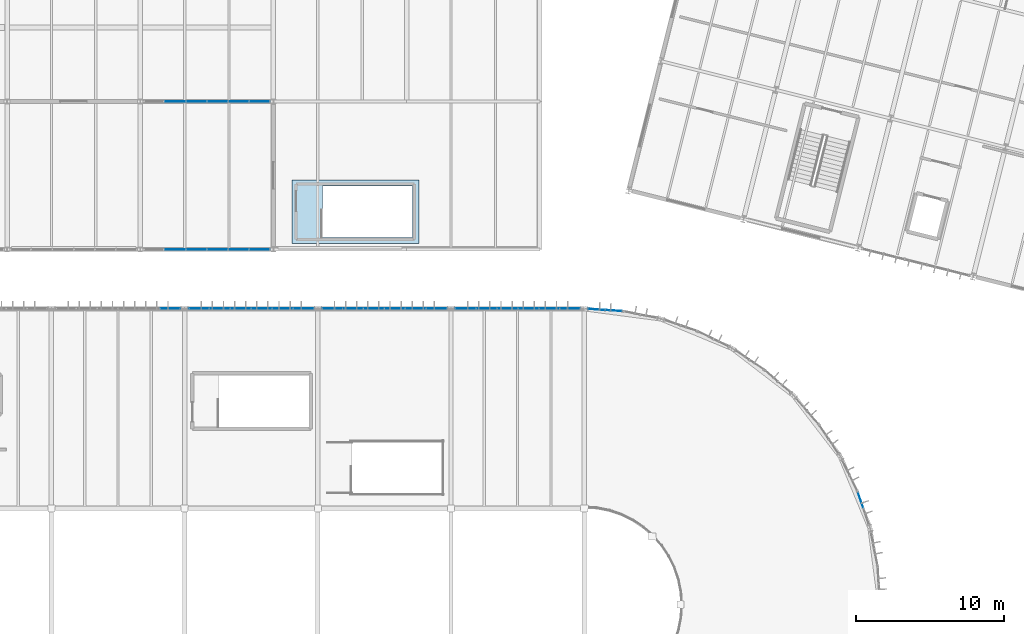
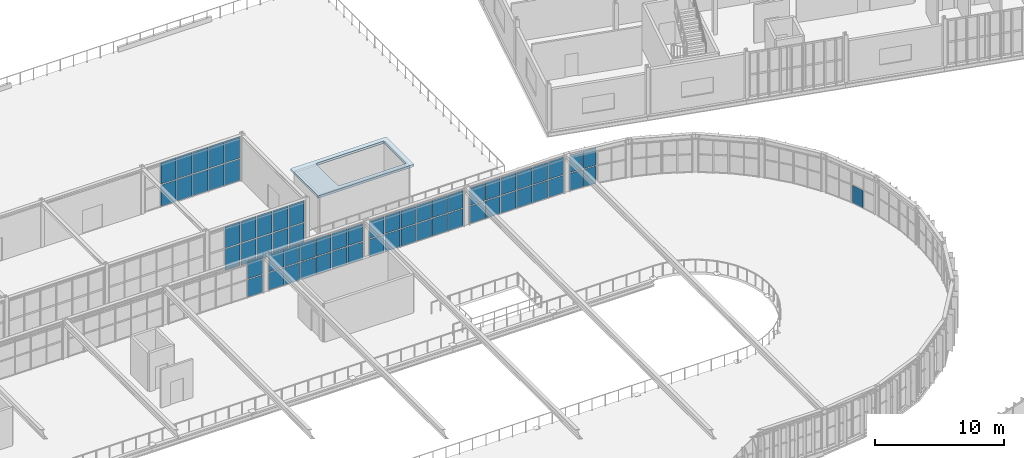
# One storey, part 112 of 152: 63 plates, 1 slab, 8 elements without a shape of their own.
"""IFC4 building model written with IfcOpenShell, lengths in metres."""

from ifc_helpers import new_model, si_unit, derived_unit, direction, frame, origin, origin_2d, place, context, subcontext, project, spatial, polyline, rectangle, outline, extrude, material, layer, layer_set, type_object, element, aggregate, save


model = new_model("IFC4")

# Units and contexts
model_context = context("Model", 3, precision=1e-05, world=origin(), true_north=direction((0.0, 1.0)))
body_context = subcontext(model_context, "Body", "Model", "MODEL_VIEW")
ifc_project = project(units=[si_unit("LENGTHUNIT", "METRE"), si_unit("AREAUNIT", "SQUARE_METRE"), si_unit("VOLUMEUNIT", "CUBIC_METRE"), si_unit("PLANEANGLEUNIT", "RADIAN"), si_unit("MASSUNIT", "GRAM", prefix="KILO"), si_unit("THERMODYNAMICTEMPERATUREUNIT", "KELVIN"), si_unit("TIMEUNIT", "SECOND"), derived_unit("THERMALTRANSMITTANCEUNIT", [(si_unit("MASSUNIT", "GRAM", prefix="KILO"), 1), (si_unit("THERMODYNAMICTEMPERATUREUNIT", "KELVIN"), -1), (si_unit("TIMEUNIT", "SECOND"), -3)])], contexts=[model_context])

# Site, building, storey
site_placement = place(None, origin())
site = spatial("IfcSite", under=ifc_project, at=site_placement, CompositionType="ELEMENT")
building_placement = place(site_placement, origin())
building = spatial("IfcBuilding", under=site, at=building_placement, Name="Cambertide Market Hall", CompositionType="ELEMENT")
storey_placement = place(building_placement, frame((0.0, 0.0, 5.39990234375)))
storey = spatial("IfcBuildingStorey", under=building, at=storey_placement, Name="L02", CompositionType="ELEMENT", Elevation=5.39990234375)

# Slab
ifc_material_1 = material(Name="Concrete B30", Category="concrete")
ifc_layer_1 = layer(ifc_material_1, 0.219970703125, Name="Stair Headhouse Roof Slab 220")
ifc_layer_set_1 = layer_set([ifc_layer_1], Name="Concrete B30")
slab_type = type_object("IfcSlabType", Name="Stair Headhouse Roof Slab 220", PredefinedType="ROOF", material=ifc_layer_set_1)
slab_placement = place(storey_placement, frame((0.0, 0.0, 3.64013671875)))
element("IfcSlab", 1, at=slab_placement, inside=storey, type_object=slab_type, Name="Level 2 Slab RSLB-HH-ST04", PredefinedType="ROOF", context=body_context, shape_type="SweptSolid", body=[
    extrude(outline(polyline([(85.25, 96.39990234375), (93.85009765625, 96.39990234375), (93.85009765625, 100.699951171875), (85.25, 100.699951171875), (85.25, 96.39990234375)]), holes=[polyline([(87.303955078125, 100.300048828125), (93.39990234375, 100.300048828125), (93.39990234375, 96.800048828125), (87.303955078125, 96.800048828125), (87.303955078125, 100.300048828125)])]), origin(), (0.0, 0.0, 1.0), 0.219970703125),
])

# Curtain wall, plates
ifc_material_2 = material(Name="Marine Anodized Aluminium 6063-T6 AA25", Category="aluminium")
curtain_wall_type_1 = type_object("IfcCurtainWallType", Name="Lantern Straight Upper Curtain Wall", PredefinedType="USERDEFINED", material=ifc_material_2)
curtain_wall_1_placement = place(storey_placement, origin())
curtain_wall_1 = element("IfcCurtainWall", 2, at=curtain_wall_1_placement, inside=storey, type_object=curtain_wall_type_1, Name="Level 2 Curtain Wall CW-V1N-L02-4", ObjectType="UNITIZED CURTAIN WALL", PredefinedType="USERDEFINED")
ifc_material_3 = material(Name="Low-E Laminated Insulated Glass", Category="glass")
ifc_layer_2 = layer(ifc_material_3, 0.028076171875, Name="Vision Insulated Glazing Panel 28")
ifc_layer_set_2 = layer_set([ifc_layer_2], Name="Low-E Laminated Insulated Glass")
plate_type = type_object("IfcPlateType", Name="Vision Insulated Glazing Panel 28", PredefinedType="CURTAIN_PANEL", material=ifc_layer_set_2)
plate_1_placement = place(storey_placement, frame((77.041748046875, 92.0, 0.0400390625), z_axis=(0.0, 0.0, 1.0), x_axis=(1.0, 0.0, 0.0)))
plate_1 = element("IfcPlate", 3, at=plate_1_placement, type_object=plate_type, Name="CW-V1N-L02-4 Glazing Panel 1-6", PredefinedType="CURTAIN_PANEL", context=body_context, shape_type="SweptSolid", body=[
    extrude(rectangle(XDim=1.336669921875, YDim=0.028076171875, at=origin_2d()), origin(), (0.0, 0.0, 1.0), 1.64501953125),
])
plate_2_placement = place(storey_placement, frame((77.041748046875, 92.0, 1.76513671875), z_axis=(0.0, 0.0, 1.0), x_axis=(1.0, 0.0, 0.0)))
plate_2 = element("IfcPlate", 4, at=plate_2_placement, type_object=plate_type, Name="CW-V1N-L02-4 Glazing Panel 2-6", PredefinedType="CURTAIN_PANEL", context=body_context, shape_type="SweptSolid", body=[
    extrude(rectangle(XDim=1.336669921875, YDim=0.028076171875, at=origin_2d()), origin(), (0.0, 0.0, 1.0), 1.64501953125),
])
aggregate(curtain_wall_1, [plate_1, plate_2])

curtain_wall_2_placement = place(storey_placement, origin())
curtain_wall_2 = element("IfcCurtainWall", 5, at=curtain_wall_2_placement, inside=storey, type_object=curtain_wall_type_1, Name="Level 2 Curtain Wall CW-V1N-L02-5", ObjectType="UNITIZED CURTAIN WALL", PredefinedType="USERDEFINED")
plate_3_placement = place(storey_placement, frame((78.958251953125, 92.0, 0.0400390625), z_axis=(0.0, 0.0, 1.0), x_axis=(1.0, 0.0, 0.0)))
plate_3 = element("IfcPlate", 6, at=plate_3_placement, type_object=plate_type, Name="CW-V1N-L02-5 Glazing Panel 1-1", PredefinedType="CURTAIN_PANEL", context=body_context, shape_type="SweptSolid", body=[
    extrude(rectangle(XDim=1.336669921875, YDim=0.028076171875, at=origin_2d()), origin(), (0.0, 0.0, 1.0), 1.64501953125),
])
plate_4_placement = place(storey_placement, frame((80.375, 92.0, 0.0400390625), z_axis=(0.0, 0.0, 1.0), x_axis=(1.0, 0.0, 0.0)))
plate_4 = element("IfcPlate", 7, at=plate_4_placement, type_object=plate_type, Name="CW-V1N-L02-5 Glazing Panel 1-2", PredefinedType="CURTAIN_PANEL", context=body_context, shape_type="SweptSolid", body=[
    extrude(rectangle(XDim=1.336669921875, YDim=0.028076171875, at=origin_2d()), origin(), (0.0, 0.0, 1.0), 1.64501953125),
])
plate_5_placement = place(storey_placement, frame((81.791748046875, 92.0, 0.0400390625), z_axis=(0.0, 0.0, 1.0), x_axis=(1.0, 0.0, 0.0)))
plate_5 = element("IfcPlate", 8, at=plate_5_placement, type_object=plate_type, Name="CW-V1N-L02-5 Glazing Panel 1-3", PredefinedType="CURTAIN_PANEL", context=body_context, shape_type="SweptSolid", body=[
    extrude(rectangle(XDim=1.336669921875, YDim=0.028076171875, at=origin_2d()), origin(), (0.0, 0.0, 1.0), 1.64501953125),
])
plate_6_placement = place(storey_placement, frame((83.208251953125, 92.0, 0.0400390625), z_axis=(0.0, 0.0, 1.0), x_axis=(1.0, 0.0, 0.0)))
plate_6 = element("IfcPlate", 9, at=plate_6_placement, type_object=plate_type, Name="CW-V1N-L02-5 Glazing Panel 1-4", PredefinedType="CURTAIN_PANEL", context=body_context, shape_type="SweptSolid", body=[
    extrude(rectangle(XDim=1.336669921875, YDim=0.028076171875, at=origin_2d()), origin(), (0.0, 0.0, 1.0), 1.64501953125),
])
plate_7_placement = place(storey_placement, frame((84.625, 92.0, 0.0400390625), z_axis=(0.0, 0.0, 1.0), x_axis=(1.0, 0.0, 0.0)))
plate_7 = element("IfcPlate", 10, at=plate_7_placement, type_object=plate_type, Name="CW-V1N-L02-5 Glazing Panel 1-5", PredefinedType="CURTAIN_PANEL", context=body_context, shape_type="SweptSolid", body=[
    extrude(rectangle(XDim=1.336669921875, YDim=0.028076171875, at=origin_2d()), origin(), (0.0, 0.0, 1.0), 1.64501953125),
])
plate_8_placement = place(storey_placement, frame((86.041748046875, 92.0, 0.0400390625), z_axis=(0.0, 0.0, 1.0), x_axis=(1.0, 0.0, 0.0)))
plate_8 = element("IfcPlate", 11, at=plate_8_placement, type_object=plate_type, Name="CW-V1N-L02-5 Glazing Panel 1-6", PredefinedType="CURTAIN_PANEL", context=body_context, shape_type="SweptSolid", body=[
    extrude(rectangle(XDim=1.336669921875, YDim=0.028076171875, at=origin_2d()), origin(), (0.0, 0.0, 1.0), 1.64501953125),
])
plate_9_placement = place(storey_placement, frame((78.958251953125, 92.0, 1.76513671875), z_axis=(0.0, 0.0, 1.0), x_axis=(1.0, 0.0, 0.0)))
plate_9 = element("IfcPlate", 12, at=plate_9_placement, type_object=plate_type, Name="CW-V1N-L02-5 Glazing Panel 2-1", PredefinedType="CURTAIN_PANEL", context=body_context, shape_type="SweptSolid", body=[
    extrude(rectangle(XDim=1.336669921875, YDim=0.028076171875, at=origin_2d()), origin(), (0.0, 0.0, 1.0), 1.64501953125),
])
plate_10_placement = place(storey_placement, frame((80.375, 92.0, 1.76513671875), z_axis=(0.0, 0.0, 1.0), x_axis=(1.0, 0.0, 0.0)))
plate_10 = element("IfcPlate", 13, at=plate_10_placement, type_object=plate_type, Name="CW-V1N-L02-5 Glazing Panel 2-2", PredefinedType="CURTAIN_PANEL", context=body_context, shape_type="SweptSolid", body=[
    extrude(rectangle(XDim=1.336669921875, YDim=0.028076171875, at=origin_2d()), origin(), (0.0, 0.0, 1.0), 1.64501953125),
])
plate_11_placement = place(storey_placement, frame((81.791748046875, 92.0, 1.76513671875), z_axis=(0.0, 0.0, 1.0), x_axis=(1.0, 0.0, 0.0)))
plate_11 = element("IfcPlate", 14, at=plate_11_placement, type_object=plate_type, Name="CW-V1N-L02-5 Glazing Panel 2-3", PredefinedType="CURTAIN_PANEL", context=body_context, shape_type="SweptSolid", body=[
    extrude(rectangle(XDim=1.336669921875, YDim=0.028076171875, at=origin_2d()), origin(), (0.0, 0.0, 1.0), 1.64501953125),
])
plate_12_placement = place(storey_placement, frame((83.208251953125, 92.0, 1.76513671875), z_axis=(0.0, 0.0, 1.0), x_axis=(1.0, 0.0, 0.0)))
plate_12 = element("IfcPlate", 15, at=plate_12_placement, type_object=plate_type, Name="CW-V1N-L02-5 Glazing Panel 2-4", PredefinedType="CURTAIN_PANEL", context=body_context, shape_type="SweptSolid", body=[
    extrude(rectangle(XDim=1.336669921875, YDim=0.028076171875, at=origin_2d()), origin(), (0.0, 0.0, 1.0), 1.64501953125),
])
plate_13_placement = place(storey_placement, frame((84.625, 92.0, 1.76513671875), z_axis=(0.0, 0.0, 1.0), x_axis=(1.0, 0.0, 0.0)))
plate_13 = element("IfcPlate", 16, at=plate_13_placement, type_object=plate_type, Name="CW-V1N-L02-5 Glazing Panel 2-5", PredefinedType="CURTAIN_PANEL", context=body_context, shape_type="SweptSolid", body=[
    extrude(rectangle(XDim=1.336669921875, YDim=0.028076171875, at=origin_2d()), origin(), (0.0, 0.0, 1.0), 1.64501953125),
])
plate_14_placement = place(storey_placement, frame((86.041748046875, 92.0, 1.76513671875), z_axis=(0.0, 0.0, 1.0), x_axis=(1.0, 0.0, 0.0)))
plate_14 = element("IfcPlate", 17, at=plate_14_placement, type_object=plate_type, Name="CW-V1N-L02-5 Glazing Panel 2-6", PredefinedType="CURTAIN_PANEL", context=body_context, shape_type="SweptSolid", body=[
    extrude(rectangle(XDim=1.336669921875, YDim=0.028076171875, at=origin_2d()), origin(), (0.0, 0.0, 1.0), 1.64501953125),
])
aggregate(curtain_wall_2, [plate_3, plate_4, plate_5, plate_6, plate_7, plate_8, plate_9, plate_10, plate_11, plate_12, plate_13, plate_14])

curtain_wall_3_placement = place(storey_placement, origin())
curtain_wall_3 = element("IfcCurtainWall", 18, at=curtain_wall_3_placement, inside=storey, type_object=curtain_wall_type_1, Name="Level 2 Curtain Wall CW-V1N-L02-6", ObjectType="UNITIZED CURTAIN WALL", PredefinedType="USERDEFINED")
plate_15_placement = place(storey_placement, frame((87.958251953125, 92.0, 0.0400390625), z_axis=(0.0, 0.0, 1.0), x_axis=(1.0, 0.0, 0.0)))
plate_15 = element("IfcPlate", 19, at=plate_15_placement, type_object=plate_type, Name="CW-V1N-L02-6 Glazing Panel 1-1", PredefinedType="CURTAIN_PANEL", context=body_context, shape_type="SweptSolid", body=[
    extrude(rectangle(XDim=1.336669921875, YDim=0.028076171875, at=origin_2d()), origin(), (0.0, 0.0, 1.0), 1.64501953125),
])
plate_16_placement = place(storey_placement, frame((89.375, 92.0, 0.0400390625), z_axis=(0.0, 0.0, 1.0), x_axis=(1.0, 0.0, 0.0)))
plate_16 = element("IfcPlate", 20, at=plate_16_placement, type_object=plate_type, Name="CW-V1N-L02-6 Glazing Panel 1-2", PredefinedType="CURTAIN_PANEL", context=body_context, shape_type="SweptSolid", body=[
    extrude(rectangle(XDim=1.336669921875, YDim=0.028076171875, at=origin_2d()), origin(), (0.0, 0.0, 1.0), 1.64501953125),
])
plate_17_placement = place(storey_placement, frame((90.791748046875, 92.0, 0.0400390625), z_axis=(0.0, 0.0, 1.0), x_axis=(1.0, 0.0, 0.0)))
plate_17 = element("IfcPlate", 21, at=plate_17_placement, type_object=plate_type, Name="CW-V1N-L02-6 Glazing Panel 1-3", PredefinedType="CURTAIN_PANEL", context=body_context, shape_type="SweptSolid", body=[
    extrude(rectangle(XDim=1.336669921875, YDim=0.028076171875, at=origin_2d()), origin(), (0.0, 0.0, 1.0), 1.64501953125),
])
plate_18_placement = place(storey_placement, frame((92.208251953125, 92.0, 0.0400390625), z_axis=(0.0, 0.0, 1.0), x_axis=(1.0, 0.0, 0.0)))
plate_18 = element("IfcPlate", 22, at=plate_18_placement, type_object=plate_type, Name="CW-V1N-L02-6 Glazing Panel 1-4", PredefinedType="CURTAIN_PANEL", context=body_context, shape_type="SweptSolid", body=[
    extrude(rectangle(XDim=1.336669921875, YDim=0.028076171875, at=origin_2d()), origin(), (0.0, 0.0, 1.0), 1.64501953125),
])
plate_19_placement = place(storey_placement, frame((93.625, 92.0, 0.0400390625), z_axis=(0.0, 0.0, 1.0), x_axis=(1.0, 0.0, 0.0)))
plate_19 = element("IfcPlate", 23, at=plate_19_placement, type_object=plate_type, Name="CW-V1N-L02-6 Glazing Panel 1-5", PredefinedType="CURTAIN_PANEL", context=body_context, shape_type="SweptSolid", body=[
    extrude(rectangle(XDim=1.336669921875, YDim=0.028076171875, at=origin_2d()), origin(), (0.0, 0.0, 1.0), 1.64501953125),
])
plate_20_placement = place(storey_placement, frame((95.041748046875, 92.0, 0.0400390625), z_axis=(0.0, 0.0, 1.0), x_axis=(1.0, 0.0, 0.0)))
plate_20 = element("IfcPlate", 24, at=plate_20_placement, type_object=plate_type, Name="CW-V1N-L02-6 Glazing Panel 1-6", PredefinedType="CURTAIN_PANEL", context=body_context, shape_type="SweptSolid", body=[
    extrude(rectangle(XDim=1.336669921875, YDim=0.028076171875, at=origin_2d()), origin(), (0.0, 0.0, 1.0), 1.64501953125),
])
plate_21_placement = place(storey_placement, frame((87.958251953125, 92.0, 1.76513671875), z_axis=(0.0, 0.0, 1.0), x_axis=(1.0, 0.0, 0.0)))
plate_21 = element("IfcPlate", 25, at=plate_21_placement, type_object=plate_type, Name="CW-V1N-L02-6 Glazing Panel 2-1", PredefinedType="CURTAIN_PANEL", context=body_context, shape_type="SweptSolid", body=[
    extrude(rectangle(XDim=1.336669921875, YDim=0.028076171875, at=origin_2d()), origin(), (0.0, 0.0, 1.0), 1.64501953125),
])
plate_22_placement = place(storey_placement, frame((89.375, 92.0, 1.76513671875), z_axis=(0.0, 0.0, 1.0), x_axis=(1.0, 0.0, 0.0)))
plate_22 = element("IfcPlate", 26, at=plate_22_placement, type_object=plate_type, Name="CW-V1N-L02-6 Glazing Panel 2-2", PredefinedType="CURTAIN_PANEL", context=body_context, shape_type="SweptSolid", body=[
    extrude(rectangle(XDim=1.336669921875, YDim=0.028076171875, at=origin_2d()), origin(), (0.0, 0.0, 1.0), 1.64501953125),
])
plate_23_placement = place(storey_placement, frame((90.791748046875, 92.0, 1.76513671875), z_axis=(0.0, 0.0, 1.0), x_axis=(1.0, 0.0, 0.0)))
plate_23 = element("IfcPlate", 27, at=plate_23_placement, type_object=plate_type, Name="CW-V1N-L02-6 Glazing Panel 2-3", PredefinedType="CURTAIN_PANEL", context=body_context, shape_type="SweptSolid", body=[
    extrude(rectangle(XDim=1.336669921875, YDim=0.028076171875, at=origin_2d()), origin(), (0.0, 0.0, 1.0), 1.64501953125),
])
plate_24_placement = place(storey_placement, frame((92.208251953125, 92.0, 1.76513671875), z_axis=(0.0, 0.0, 1.0), x_axis=(1.0, 0.0, 0.0)))
plate_24 = element("IfcPlate", 28, at=plate_24_placement, type_object=plate_type, Name="CW-V1N-L02-6 Glazing Panel 2-4", PredefinedType="CURTAIN_PANEL", context=body_context, shape_type="SweptSolid", body=[
    extrude(rectangle(XDim=1.336669921875, YDim=0.028076171875, at=origin_2d()), origin(), (0.0, 0.0, 1.0), 1.64501953125),
])
plate_25_placement = place(storey_placement, frame((93.625, 92.0, 1.76513671875), z_axis=(0.0, 0.0, 1.0), x_axis=(1.0, 0.0, 0.0)))
plate_25 = element("IfcPlate", 29, at=plate_25_placement, type_object=plate_type, Name="CW-V1N-L02-6 Glazing Panel 2-5", PredefinedType="CURTAIN_PANEL", context=body_context, shape_type="SweptSolid", body=[
    extrude(rectangle(XDim=1.336669921875, YDim=0.028076171875, at=origin_2d()), origin(), (0.0, 0.0, 1.0), 1.64501953125),
])
plate_26_placement = place(storey_placement, frame((95.041748046875, 92.0, 1.76513671875), z_axis=(0.0, 0.0, 1.0), x_axis=(1.0, 0.0, 0.0)))
plate_26 = element("IfcPlate", 30, at=plate_26_placement, type_object=plate_type, Name="CW-V1N-L02-6 Glazing Panel 2-6", PredefinedType="CURTAIN_PANEL", context=body_context, shape_type="SweptSolid", body=[
    extrude(rectangle(XDim=1.336669921875, YDim=0.028076171875, at=origin_2d()), origin(), (0.0, 0.0, 1.0), 1.64501953125),
])
aggregate(curtain_wall_3, [plate_15, plate_16, plate_17, plate_18, plate_19, plate_20, plate_21, plate_22, plate_23, plate_24, plate_25, plate_26])

curtain_wall_4_placement = place(storey_placement, origin())
curtain_wall_4 = element("IfcCurtainWall", 31, at=curtain_wall_4_placement, inside=storey, type_object=curtain_wall_type_1, Name="Level 2 Curtain Wall CW-V1N-L02-7", ObjectType="UNITIZED CURTAIN WALL", PredefinedType="USERDEFINED")
plate_27_placement = place(storey_placement, frame((96.958251953125, 92.0, 0.0400390625), z_axis=(0.0, 0.0, 1.0), x_axis=(1.0, 0.0, 0.0)))
plate_27 = element("IfcPlate", 32, at=plate_27_placement, type_object=plate_type, Name="CW-V1N-L02-7 Glazing Panel 1-1", PredefinedType="CURTAIN_PANEL", context=body_context, shape_type="SweptSolid", body=[
    extrude(rectangle(XDim=1.336669921875, YDim=0.028076171875, at=origin_2d()), origin(), (0.0, 0.0, 1.0), 1.64501953125),
])
plate_28_placement = place(storey_placement, frame((98.375, 92.0, 0.0400390625), z_axis=(0.0, 0.0, 1.0), x_axis=(1.0, 0.0, 0.0)))
plate_28 = element("IfcPlate", 33, at=plate_28_placement, type_object=plate_type, Name="CW-V1N-L02-7 Glazing Panel 1-2", PredefinedType="CURTAIN_PANEL", context=body_context, shape_type="SweptSolid", body=[
    extrude(rectangle(XDim=1.336669921875, YDim=0.028076171875, at=origin_2d()), origin(), (0.0, 0.0, 1.0), 1.64501953125),
])
plate_29_placement = place(storey_placement, frame((99.791748046875, 92.0, 0.0400390625), z_axis=(0.0, 0.0, 1.0), x_axis=(1.0, 0.0, 0.0)))
plate_29 = element("IfcPlate", 34, at=plate_29_placement, type_object=plate_type, Name="CW-V1N-L02-7 Glazing Panel 1-3", PredefinedType="CURTAIN_PANEL", context=body_context, shape_type="SweptSolid", body=[
    extrude(rectangle(XDim=1.336669921875, YDim=0.028076171875, at=origin_2d()), origin(), (0.0, 0.0, 1.0), 1.64501953125),
])
plate_30_placement = place(storey_placement, frame((101.208251953125, 92.0, 0.0400390625), z_axis=(0.0, 0.0, 1.0), x_axis=(1.0, 0.0, 0.0)))
plate_30 = element("IfcPlate", 35, at=plate_30_placement, type_object=plate_type, Name="CW-V1N-L02-7 Glazing Panel 1-4", PredefinedType="CURTAIN_PANEL", context=body_context, shape_type="SweptSolid", body=[
    extrude(rectangle(XDim=1.336669921875, YDim=0.028076171875, at=origin_2d()), origin(), (0.0, 0.0, 1.0), 1.64501953125),
])
plate_31_placement = place(storey_placement, frame((102.625, 92.0, 0.0400390625), z_axis=(0.0, 0.0, 1.0), x_axis=(1.0, 0.0, 0.0)))
plate_31 = element("IfcPlate", 36, at=plate_31_placement, type_object=plate_type, Name="CW-V1N-L02-7 Glazing Panel 1-5", PredefinedType="CURTAIN_PANEL", context=body_context, shape_type="SweptSolid", body=[
    extrude(rectangle(XDim=1.336669921875, YDim=0.028076171875, at=origin_2d()), origin(), (0.0, 0.0, 1.0), 1.64501953125),
])
plate_32_placement = place(storey_placement, frame((104.041748046875, 92.0, 0.0400390625), z_axis=(0.0, 0.0, 1.0), x_axis=(1.0, 0.0, 0.0)))
plate_32 = element("IfcPlate", 37, at=plate_32_placement, type_object=plate_type, Name="CW-V1N-L02-7 Glazing Panel 1-6", PredefinedType="CURTAIN_PANEL", context=body_context, shape_type="SweptSolid", body=[
    extrude(rectangle(XDim=1.336669921875, YDim=0.028076171875, at=origin_2d()), origin(), (0.0, 0.0, 1.0), 1.64501953125),
])
plate_33_placement = place(storey_placement, frame((96.958251953125, 92.0, 1.76513671875), z_axis=(0.0, 0.0, 1.0), x_axis=(1.0, 0.0, 0.0)))
plate_33 = element("IfcPlate", 38, at=plate_33_placement, type_object=plate_type, Name="CW-V1N-L02-7 Glazing Panel 2-1", PredefinedType="CURTAIN_PANEL", context=body_context, shape_type="SweptSolid", body=[
    extrude(rectangle(XDim=1.336669921875, YDim=0.028076171875, at=origin_2d()), origin(), (0.0, 0.0, 1.0), 1.64501953125),
])
plate_34_placement = place(storey_placement, frame((98.375, 92.0, 1.76513671875), z_axis=(0.0, 0.0, 1.0), x_axis=(1.0, 0.0, 0.0)))
plate_34 = element("IfcPlate", 39, at=plate_34_placement, type_object=plate_type, Name="CW-V1N-L02-7 Glazing Panel 2-2", PredefinedType="CURTAIN_PANEL", context=body_context, shape_type="SweptSolid", body=[
    extrude(rectangle(XDim=1.336669921875, YDim=0.028076171875, at=origin_2d()), origin(), (0.0, 0.0, 1.0), 1.64501953125),
])
plate_35_placement = place(storey_placement, frame((99.791748046875, 92.0, 1.76513671875), z_axis=(0.0, 0.0, 1.0), x_axis=(1.0, 0.0, 0.0)))
plate_35 = element("IfcPlate", 40, at=plate_35_placement, type_object=plate_type, Name="CW-V1N-L02-7 Glazing Panel 2-3", PredefinedType="CURTAIN_PANEL", context=body_context, shape_type="SweptSolid", body=[
    extrude(rectangle(XDim=1.336669921875, YDim=0.028076171875, at=origin_2d()), origin(), (0.0, 0.0, 1.0), 1.64501953125),
])
plate_36_placement = place(storey_placement, frame((101.208251953125, 92.0, 1.76513671875), z_axis=(0.0, 0.0, 1.0), x_axis=(1.0, 0.0, 0.0)))
plate_36 = element("IfcPlate", 41, at=plate_36_placement, type_object=plate_type, Name="CW-V1N-L02-7 Glazing Panel 2-4", PredefinedType="CURTAIN_PANEL", context=body_context, shape_type="SweptSolid", body=[
    extrude(rectangle(XDim=1.336669921875, YDim=0.028076171875, at=origin_2d()), origin(), (0.0, 0.0, 1.0), 1.64501953125),
])
plate_37_placement = place(storey_placement, frame((102.625, 92.0, 1.76513671875), z_axis=(0.0, 0.0, 1.0), x_axis=(1.0, 0.0, 0.0)))
plate_37 = element("IfcPlate", 42, at=plate_37_placement, type_object=plate_type, Name="CW-V1N-L02-7 Glazing Panel 2-5", PredefinedType="CURTAIN_PANEL", context=body_context, shape_type="SweptSolid", body=[
    extrude(rectangle(XDim=1.336669921875, YDim=0.028076171875, at=origin_2d()), origin(), (0.0, 0.0, 1.0), 1.64501953125),
])
plate_38_placement = place(storey_placement, frame((104.041748046875, 92.0, 1.76513671875), z_axis=(0.0, 0.0, 1.0), x_axis=(1.0, 0.0, 0.0)))
plate_38 = element("IfcPlate", 43, at=plate_38_placement, type_object=plate_type, Name="CW-V1N-L02-7 Glazing Panel 2-6", PredefinedType="CURTAIN_PANEL", context=body_context, shape_type="SweptSolid", body=[
    extrude(rectangle(XDim=1.336669921875, YDim=0.028076171875, at=origin_2d()), origin(), (0.0, 0.0, 1.0), 1.64501953125),
])
aggregate(curtain_wall_4, [plate_27, plate_28, plate_29, plate_30, plate_31, plate_32, plate_33, plate_34, plate_35, plate_36, plate_37, plate_38])

# Curtain wall, plate
ifc_material_4 = material(Name="Marine Anodized Aluminium 6063-T6 AA25", Category="aluminium")
curtain_wall_type_2 = type_object("IfcCurtainWallType", Name="Lantern Apse Chord Upper Curtain Wall", PredefinedType="USERDEFINED", material=ifc_material_4)
curtain_wall_5_placement = place(storey_placement, origin())
curtain_wall_5 = element("IfcCurtainWall", 44, at=curtain_wall_5_placement, inside=storey, type_object=curtain_wall_type_2, Name="Level 2 Curtain Wall CW-V1AE-L02-15", ObjectType="UNITIZED CURTAIN WALL", PredefinedType="USERDEFINED")
plate_39_placement = place(storey_placement, frame((123.675048828125, 79.072265625, 0.0400390625), z_axis=(0.0, 0.0, 1.0), x_axis=(0.32143947831, -0.94693012508, 0.0)))
plate_39 = element("IfcPlate", 45, at=plate_39_placement, type_object=plate_type, Name="CW-V1AE-L02-15 Glazing Panel 1-1", PredefinedType="CURTAIN_PANEL", context=body_context, shape_type="SweptSolid", body=[
    extrude(rectangle(XDim=1.108154296875, YDim=0.028076171875, at=origin_2d()), origin(), (0.0, 0.0, 1.0), 1.64501953125),
])
aggregate(curtain_wall_5, [plate_39])

# Curtain wall, plates
curtain_wall_6_placement = place(storey_placement, origin())
curtain_wall_6 = element("IfcCurtainWall", 46, at=curtain_wall_6_placement, inside=storey, type_object=curtain_wall_type_2, Name="Level 2 Curtain Wall CW-V1AE-L02-24", ObjectType="UNITIZED CURTAIN WALL", PredefinedType="USERDEFINED")
plate_40_placement = place(storey_placement, frame((105.812255859375, 91.94677734375, 0.0400390625), z_axis=(0.0, 0.0, 1.0), x_axis=(0.997858917819, -0.065403211921, 0.0)))
plate_40 = element("IfcPlate", 47, at=plate_40_placement, type_object=plate_type, Name="CW-V1AE-L02-24 Glazing Panel 1-1", PredefinedType="CURTAIN_PANEL", context=body_context, shape_type="SweptSolid", body=[
    extrude(rectangle(XDim=1.108154296875, YDim=0.028076171875, at=origin_2d()), origin(), (0.0, 0.0, 1.0), 1.64501953125),
])
plate_41_placement = place(storey_placement, frame((106.997802734375, 91.869140625, 0.0400390625), z_axis=(0.0, 0.0, 1.0), x_axis=(0.997858917819, -0.065403211921, 0.0)))
plate_41 = element("IfcPlate", 48, at=plate_41_placement, type_object=plate_type, Name="CW-V1AE-L02-24 Glazing Panel 1-2", PredefinedType="CURTAIN_PANEL", context=body_context, shape_type="SweptSolid", body=[
    extrude(rectangle(XDim=1.108154296875, YDim=0.028076171875, at=origin_2d()), origin(), (0.0, 0.0, 1.0), 1.64501953125),
])
plate_42_placement = place(storey_placement, frame((105.812255859375, 91.94677734375, 1.76513671875), z_axis=(0.0, 0.0, 1.0), x_axis=(0.997858917819, -0.065403211921, 0.0)))
plate_42 = element("IfcPlate", 49, at=plate_42_placement, type_object=plate_type, Name="CW-V1AE-L02-24 Glazing Panel 2-1", PredefinedType="CURTAIN_PANEL", context=body_context, shape_type="SweptSolid", body=[
    extrude(rectangle(XDim=1.108154296875, YDim=0.028076171875, at=origin_2d()), origin(), (0.0, 0.0, 1.0), 1.64501953125),
])
plate_43_placement = place(storey_placement, frame((106.997802734375, 91.869140625, 1.76513671875), z_axis=(0.0, 0.0, 1.0), x_axis=(0.997858917819, -0.065403211921, 0.0)))
plate_43 = element("IfcPlate", 50, at=plate_43_placement, type_object=plate_type, Name="CW-V1AE-L02-24 Glazing Panel 2-2", PredefinedType="CURTAIN_PANEL", context=body_context, shape_type="SweptSolid", body=[
    extrude(rectangle(XDim=1.108154296875, YDim=0.028076171875, at=origin_2d()), origin(), (0.0, 0.0, 1.0), 1.64501953125),
])
aggregate(curtain_wall_6, [plate_40, plate_41, plate_42, plate_43])

ifc_material_5 = material(Name="Marine Anodized Aluminium 6063-T6 AA25", Category="aluminium")
curtain_wall_type_3 = type_object("IfcCurtainWallType", Name="Herb Tea Pavilion Terrace Glazed Wall", PredefinedType="USERDEFINED", material=ifc_material_5)
curtain_wall_7_placement = place(storey_placement, origin())
curtain_wall_7 = element("IfcCurtainWall", 51, at=curtain_wall_7_placement, inside=storey, type_object=curtain_wall_type_3, Name="Level 2 Curtain Wall CW-V2PAV-N-7", ObjectType="UNITIZED CURTAIN WALL", PredefinedType="USERDEFINED")
plate_44_placement = place(storey_placement, frame((77.35009765625, 106.0, 0.0400390625), z_axis=(0.0, 0.0, 1.0), x_axis=(1.0, 0.0, 0.0)))
plate_44 = element("IfcPlate", 52, at=plate_44_placement, type_object=plate_type, Name="CW-V2PAV-N-7 Glazing Panel 1-2", PredefinedType="CURTAIN_PANEL", context=body_context, shape_type="SweptSolid", body=[
    extrude(rectangle(XDim=1.353271484375, YDim=0.028076171875, at=origin_2d()), origin(), (0.0, 0.0, 1.0), 2.044921875),
])
plate_45_placement = place(storey_placement, frame((78.783447265625, 106.0, 0.0400390625), z_axis=(0.0, 0.0, 1.0), x_axis=(1.0, 0.0, 0.0)))
plate_45 = element("IfcPlate", 53, at=plate_45_placement, type_object=plate_type, Name="CW-V2PAV-N-7 Glazing Panel 1-3", PredefinedType="CURTAIN_PANEL", context=body_context, shape_type="SweptSolid", body=[
    extrude(rectangle(XDim=1.353271484375, YDim=0.028076171875, at=origin_2d()), origin(), (0.0, 0.0, 1.0), 2.044921875),
])
plate_46_placement = place(storey_placement, frame((80.216552734375, 106.0, 0.0400390625), z_axis=(0.0, 0.0, 1.0), x_axis=(1.0, 0.0, 0.0)))
plate_46 = element("IfcPlate", 54, at=plate_46_placement, type_object=plate_type, Name="CW-V2PAV-N-7 Glazing Panel 1-4", PredefinedType="CURTAIN_PANEL", context=body_context, shape_type="SweptSolid", body=[
    extrude(rectangle(XDim=1.353271484375, YDim=0.028076171875, at=origin_2d()), origin(), (0.0, 0.0, 1.0), 2.044921875),
])
plate_47_placement = place(storey_placement, frame((81.64990234375, 106.0, 0.0400390625), z_axis=(0.0, 0.0, 1.0), x_axis=(1.0, 0.0, 0.0)))
plate_47 = element("IfcPlate", 55, at=plate_47_placement, type_object=plate_type, Name="CW-V2PAV-N-7 Glazing Panel 1-5", PredefinedType="CURTAIN_PANEL", context=body_context, shape_type="SweptSolid", body=[
    extrude(rectangle(XDim=1.353271484375, YDim=0.028076171875, at=origin_2d()), origin(), (0.0, 0.0, 1.0), 2.044921875),
])
plate_48_placement = place(storey_placement, frame((83.083251953125, 106.0, 0.0400390625), z_axis=(0.0, 0.0, 1.0), x_axis=(1.0, 0.0, 0.0)))
plate_48 = element("IfcPlate", 56, at=plate_48_placement, type_object=plate_type, Name="CW-V2PAV-N-7 Glazing Panel 1-6", PredefinedType="CURTAIN_PANEL", context=body_context, shape_type="SweptSolid", body=[
    extrude(rectangle(XDim=1.353271484375, YDim=0.028076171875, at=origin_2d()), origin(), (0.0, 0.0, 1.0), 2.044921875),
])
plate_49_placement = place(storey_placement, frame((77.35009765625, 106.0, 2.1650390625), z_axis=(0.0, 0.0, 1.0), x_axis=(1.0, 0.0, 0.0)))
plate_49 = element("IfcPlate", 57, at=plate_49_placement, type_object=plate_type, Name="CW-V2PAV-N-7 Glazing Panel 2-2", PredefinedType="CURTAIN_PANEL", context=body_context, shape_type="SweptSolid", body=[
    extrude(rectangle(XDim=1.353271484375, YDim=0.028076171875, at=origin_2d()), origin(), (0.0, 0.0, 1.0), 2.044921875),
])
plate_50_placement = place(storey_placement, frame((78.783447265625, 106.0, 2.1650390625), z_axis=(0.0, 0.0, 1.0), x_axis=(1.0, 0.0, 0.0)))
plate_50 = element("IfcPlate", 58, at=plate_50_placement, type_object=plate_type, Name="CW-V2PAV-N-7 Glazing Panel 2-3", PredefinedType="CURTAIN_PANEL", context=body_context, shape_type="SweptSolid", body=[
    extrude(rectangle(XDim=1.353271484375, YDim=0.028076171875, at=origin_2d()), origin(), (0.0, 0.0, 1.0), 2.044921875),
])
plate_51_placement = place(storey_placement, frame((80.216552734375, 106.0, 2.1650390625), z_axis=(0.0, 0.0, 1.0), x_axis=(1.0, 0.0, 0.0)))
plate_51 = element("IfcPlate", 59, at=plate_51_placement, type_object=plate_type, Name="CW-V2PAV-N-7 Glazing Panel 2-4", PredefinedType="CURTAIN_PANEL", context=body_context, shape_type="SweptSolid", body=[
    extrude(rectangle(XDim=1.353271484375, YDim=0.028076171875, at=origin_2d()), origin(), (0.0, 0.0, 1.0), 2.044921875),
])
plate_52_placement = place(storey_placement, frame((81.64990234375, 106.0, 2.1650390625), z_axis=(0.0, 0.0, 1.0), x_axis=(1.0, 0.0, 0.0)))
plate_52 = element("IfcPlate", 60, at=plate_52_placement, type_object=plate_type, Name="CW-V2PAV-N-7 Glazing Panel 2-5", PredefinedType="CURTAIN_PANEL", context=body_context, shape_type="SweptSolid", body=[
    extrude(rectangle(XDim=1.353271484375, YDim=0.028076171875, at=origin_2d()), origin(), (0.0, 0.0, 1.0), 2.044921875),
])
plate_53_placement = place(storey_placement, frame((83.083251953125, 106.0, 2.1650390625), z_axis=(0.0, 0.0, 1.0), x_axis=(1.0, 0.0, 0.0)))
plate_53 = element("IfcPlate", 61, at=plate_53_placement, type_object=plate_type, Name="CW-V2PAV-N-7 Glazing Panel 2-6", PredefinedType="CURTAIN_PANEL", context=body_context, shape_type="SweptSolid", body=[
    extrude(rectangle(XDim=1.353271484375, YDim=0.028076171875, at=origin_2d()), origin(), (0.0, 0.0, 1.0), 2.044921875),
])
aggregate(curtain_wall_7, [plate_44, plate_45, plate_46, plate_47, plate_48, plate_49, plate_50, plate_51, plate_52, plate_53])

curtain_wall_8_placement = place(storey_placement, origin())
curtain_wall_8 = element("IfcCurtainWall", 62, at=curtain_wall_8_placement, inside=storey, type_object=curtain_wall_type_3, Name="Level 2 Curtain Wall CW-V2PAV-S-7", ObjectType="UNITIZED CURTAIN WALL", PredefinedType="USERDEFINED")
plate_54_placement = place(storey_placement, frame((83.083251953125, 96.0, 0.0400390625), z_axis=(0.0, 0.0, 1.0), x_axis=(-1.0, 0.0, 0.0)))
plate_54 = element("IfcPlate", 63, at=plate_54_placement, type_object=plate_type, Name="CW-V2PAV-S-7 Glazing Panel 1-1", PredefinedType="CURTAIN_PANEL", context=body_context, shape_type="SweptSolid", body=[
    extrude(rectangle(XDim=1.353271484375, YDim=0.028076171875, at=origin_2d()), origin(), (0.0, 0.0, 1.0), 2.044921875),
])
plate_55_placement = place(storey_placement, frame((81.64990234375, 96.0, 0.0400390625), z_axis=(0.0, 0.0, 1.0), x_axis=(-1.0, 0.0, 0.0)))
plate_55 = element("IfcPlate", 64, at=plate_55_placement, type_object=plate_type, Name="CW-V2PAV-S-7 Glazing Panel 1-2", PredefinedType="CURTAIN_PANEL", context=body_context, shape_type="SweptSolid", body=[
    extrude(rectangle(XDim=1.353271484375, YDim=0.028076171875, at=origin_2d()), origin(), (0.0, 0.0, 1.0), 2.044921875),
])
plate_56_placement = place(storey_placement, frame((80.216552734375, 96.0, 0.0400390625), z_axis=(0.0, 0.0, 1.0), x_axis=(-1.0, 0.0, 0.0)))
plate_56 = element("IfcPlate", 65, at=plate_56_placement, type_object=plate_type, Name="CW-V2PAV-S-7 Glazing Panel 1-3", PredefinedType="CURTAIN_PANEL", context=body_context, shape_type="SweptSolid", body=[
    extrude(rectangle(XDim=1.353271484375, YDim=0.028076171875, at=origin_2d()), origin(), (0.0, 0.0, 1.0), 2.044921875),
])
plate_57_placement = place(storey_placement, frame((78.783447265625, 96.0, 0.0400390625), z_axis=(0.0, 0.0, 1.0), x_axis=(-1.0, 0.0, 0.0)))
plate_57 = element("IfcPlate", 66, at=plate_57_placement, type_object=plate_type, Name="CW-V2PAV-S-7 Glazing Panel 1-4", PredefinedType="CURTAIN_PANEL", context=body_context, shape_type="SweptSolid", body=[
    extrude(rectangle(XDim=1.353271484375, YDim=0.028076171875, at=origin_2d()), origin(), (0.0, 0.0, 1.0), 2.044921875),
])
plate_58_placement = place(storey_placement, frame((77.35009765625, 96.0, 0.0400390625), z_axis=(0.0, 0.0, 1.0), x_axis=(-1.0, 0.0, 0.0)))
plate_58 = element("IfcPlate", 67, at=plate_58_placement, type_object=plate_type, Name="CW-V2PAV-S-7 Glazing Panel 1-5", PredefinedType="CURTAIN_PANEL", context=body_context, shape_type="SweptSolid", body=[
    extrude(rectangle(XDim=1.353271484375, YDim=0.028076171875, at=origin_2d()), origin(), (0.0, 0.0, 1.0), 2.044921875),
])
plate_59_placement = place(storey_placement, frame((83.083251953125, 96.0, 2.1650390625), z_axis=(0.0, 0.0, 1.0), x_axis=(-1.0, 0.0, 0.0)))
plate_59 = element("IfcPlate", 68, at=plate_59_placement, type_object=plate_type, Name="CW-V2PAV-S-7 Glazing Panel 2-1", PredefinedType="CURTAIN_PANEL", context=body_context, shape_type="SweptSolid", body=[
    extrude(rectangle(XDim=1.353271484375, YDim=0.028076171875, at=origin_2d()), origin(), (0.0, 0.0, 1.0), 2.044921875),
])
plate_60_placement = place(storey_placement, frame((81.64990234375, 96.0, 2.1650390625), z_axis=(0.0, 0.0, 1.0), x_axis=(-1.0, 0.0, 0.0)))
plate_60 = element("IfcPlate", 69, at=plate_60_placement, type_object=plate_type, Name="CW-V2PAV-S-7 Glazing Panel 2-2", PredefinedType="CURTAIN_PANEL", context=body_context, shape_type="SweptSolid", body=[
    extrude(rectangle(XDim=1.353271484375, YDim=0.028076171875, at=origin_2d()), origin(), (0.0, 0.0, 1.0), 2.044921875),
])
plate_61_placement = place(storey_placement, frame((80.216552734375, 96.0, 2.1650390625), z_axis=(0.0, 0.0, 1.0), x_axis=(-1.0, 0.0, 0.0)))
plate_61 = element("IfcPlate", 70, at=plate_61_placement, type_object=plate_type, Name="CW-V2PAV-S-7 Glazing Panel 2-3", PredefinedType="CURTAIN_PANEL", context=body_context, shape_type="SweptSolid", body=[
    extrude(rectangle(XDim=1.353271484375, YDim=0.028076171875, at=origin_2d()), origin(), (0.0, 0.0, 1.0), 2.044921875),
])
plate_62_placement = place(storey_placement, frame((78.783447265625, 96.0, 2.1650390625), z_axis=(0.0, 0.0, 1.0), x_axis=(-1.0, 0.0, 0.0)))
plate_62 = element("IfcPlate", 71, at=plate_62_placement, type_object=plate_type, Name="CW-V2PAV-S-7 Glazing Panel 2-4", PredefinedType="CURTAIN_PANEL", context=body_context, shape_type="SweptSolid", body=[
    extrude(rectangle(XDim=1.353271484375, YDim=0.028076171875, at=origin_2d()), origin(), (0.0, 0.0, 1.0), 2.044921875),
])
plate_63_placement = place(storey_placement, frame((77.35009765625, 96.0, 2.1650390625), z_axis=(0.0, 0.0, 1.0), x_axis=(-1.0, 0.0, 0.0)))
plate_63 = element("IfcPlate", 72, at=plate_63_placement, type_object=plate_type, Name="CW-V2PAV-S-7 Glazing Panel 2-5", PredefinedType="CURTAIN_PANEL", context=body_context, shape_type="SweptSolid", body=[
    extrude(rectangle(XDim=1.353271484375, YDim=0.028076171875, at=origin_2d()), origin(), (0.0, 0.0, 1.0), 2.044921875),
])
aggregate(curtain_wall_8, [plate_54, plate_55, plate_56, plate_57, plate_58, plate_59, plate_60, plate_61, plate_62, plate_63])

save(model, "model.ifc")
